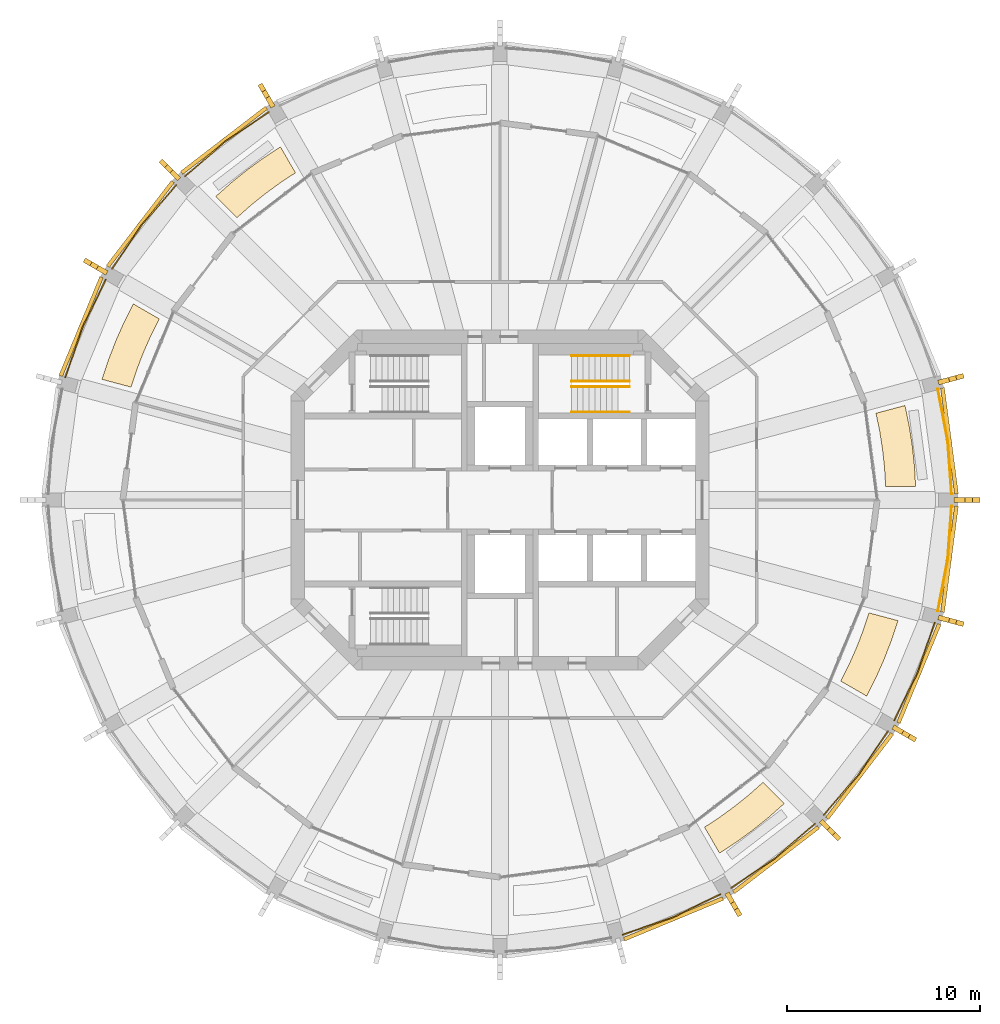
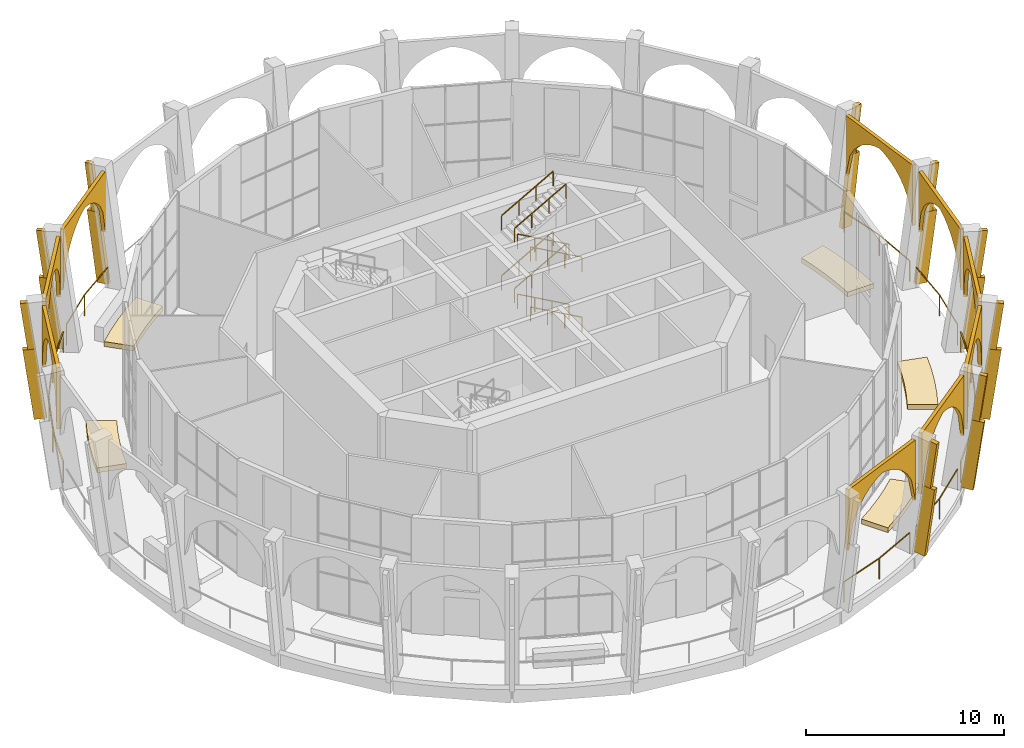
# One storey, part 15 of 16: 32 coverings, 17 railings.
"""IFC4 building model written with IfcOpenShell, lengths in metres."""

from ifc_helpers import new_model, si_unit, direction, frame, origin, origin_2d, place, context, subcontext, project, spatial, polyline, rectangle, outline, extrude, material, layer, layer_set, material_profile, profile_set, type_object, element, save


model = new_model("IFC4")

# Units and contexts
model_context = context("Model", 3, precision=1e-05, world=origin(), true_north=direction((0.0, 1.0)))
body_context = subcontext(model_context, "Body", "Model", "MODEL_VIEW")
ifc_project = project(units=[si_unit("LENGTHUNIT", "METRE"), si_unit("AREAUNIT", "SQUARE_METRE"), si_unit("VOLUMEUNIT", "CUBIC_METRE"), si_unit("PLANEANGLEUNIT", "RADIAN"), si_unit("MASSUNIT", "GRAM", prefix="KILO")], contexts=[model_context])

# Site, building, storey
site_placement = place(None, origin())
site = spatial("IfcSite", under=ifc_project, at=site_placement, CompositionType="ELEMENT")
building_placement = place(site_placement, origin())
building = spatial("IfcBuilding", under=site, at=building_placement, Name="Torre Triforio", CompositionType="ELEMENT")
storey_placement = place(building_placement, frame((0.0, 0.0, 218.699951171875)))
storey = spatial("IfcBuildingStorey", under=building, at=storey_placement, Name="L50", CompositionType="ELEMENT", Elevation=218.699951171875)

# Railings
ifc_material_1 = material(Name="Stainless steel AISI 316", Category="steel")
railing_type_1 = type_object("IfcRailingType", Name="HANDRAIL 920", PredefinedType="HANDRAIL", material=ifc_material_1)
for number, where, name in (
    (1, (6.699951171875, 4.550048828125, 0.168212890625), "Handrail ST2"),
    (2, (6.699951171875, 5.85009765625, 0.168212890625), "Handrail ST2"),
):
    element("IfcRailing", number, at=place(storey_placement, frame(where)), inside=storey, type_object=railing_type_1, Name=name, PredefinedType="HANDRAIL", context=body_context, shape_type="SweptSolid", body=[
        extrude(rectangle(XDim=0.048095703125, YDim=0.048095703125, at=origin_2d()), frame((0.0, 0.0, 0.89599609375), z_axis=(-0.872272294576, 0.0, 0.489020494575), x_axis=(0.0, -1.0, 0.0)), (0.0, 0.0, 1.0), 3.439208984375),
        extrude(rectangle(XDim=0.0419921875, YDim=0.0419921875, at=origin_2d()), origin(), (0.0, 0.0, 1.0), 0.871826171875),
        extrude(rectangle(XDim=0.0419921875, YDim=0.0419921875, at=origin_2d()), frame((-1.0, 0.0, 0.560546875)), (0.0, 0.0, 1.0), 0.871826171875),
        extrude(rectangle(XDim=0.0419921875, YDim=0.0419921875, at=origin_2d()), frame((-2.0, 0.0, 1.121337890625)), (0.0, 0.0, 1.0), 0.871826171875),
        extrude(rectangle(XDim=0.0419921875, YDim=0.0419921875, at=origin_2d()), frame((-3.0, 0.0, 1.681884765625)), (0.0, 0.0, 1.0), 0.871826171875),
    ])
for number, where, name in (
    (3, (3.699951171875, 7.449951171875, 2.018310546875), "Handrail ST2"),
    (4, (3.699951171875, 6.14990234375, 2.018310546875), "Handrail ST2"),
):
    element("IfcRailing", number, at=place(storey_placement, frame(where)), inside=storey, type_object=railing_type_1, Name=name, PredefinedType="HANDRAIL", context=body_context, shape_type="SweptSolid", body=[
        extrude(rectangle(XDim=0.048095703125, YDim=0.048095703125, at=origin_2d()), frame((0.0, 0.0, 0.89599609375), z_axis=(0.872302573547, 0.0, 0.488966481656), x_axis=(0.0, 1.0, 0.0)), (0.0, 0.0, 1.0), 3.439208984375),
        extrude(rectangle(XDim=0.0419921875, YDim=0.0419921875, at=origin_2d()), origin(), (0.0, 0.0, 1.0), 0.871826171875),
        extrude(rectangle(XDim=0.0419921875, YDim=0.0419921875, at=origin_2d()), frame((1.0, 0.0, 0.560546875)), (0.0, 0.0, 1.0), 0.871826171875),
        extrude(rectangle(XDim=0.0419921875, YDim=0.0419921875, at=origin_2d()), frame((2.0, 0.0, 1.12109375)), (0.0, 0.0, 1.0), 0.871826171875),
        extrude(rectangle(XDim=0.0419921875, YDim=0.0419921875, at=origin_2d()), frame((3.0, 0.0, 1.681640625)), (0.0, 0.0, 1.0), 0.871826171875),
    ])
for number, where, name in (
    (5, (6.699951171875, 4.550048828125, 3.8681640625), "Handrail ST2"),
    (6, (6.699951171875, 5.85009765625, 3.8681640625), "Handrail ST2"),
):
    element("IfcRailing", number, at=place(storey_placement, frame(where)), inside=storey, type_object=railing_type_1, Name=name, PredefinedType="HANDRAIL", context=body_context, shape_type="SweptSolid", body=[
        extrude(rectangle(XDim=0.048095703125, YDim=0.048095703125, at=origin_2d()), frame((0.0, 0.0, 0.89599609375), z_axis=(-0.872272294576, 0.0, 0.489020494575), x_axis=(0.0, -1.0, 0.0)), (0.0, 0.0, 1.0), 3.439208984375),
        extrude(rectangle(XDim=0.0419921875, YDim=0.0419921875, at=origin_2d()), origin(), (0.0, 0.0, 1.0), 0.871826171875),
        extrude(rectangle(XDim=0.0419921875, YDim=0.0419921875, at=origin_2d()), frame((-1.0, 0.0, 0.560546875)), (0.0, 0.0, 1.0), 0.871826171875),
        extrude(rectangle(XDim=0.0419921875, YDim=0.0419921875, at=origin_2d()), frame((-2.0, 0.0, 1.121337890625)), (0.0, 0.0, 1.0), 0.871826171875),
        extrude(rectangle(XDim=0.0419921875, YDim=0.0419921875, at=origin_2d()), frame((-3.0, 0.0, 1.681884765625)), (0.0, 0.0, 1.0), 0.871826171875),
    ])
for number, where, name in (
    (7, (3.699951171875, 7.449951171875, 5.71826171875), "Handrail ST2"),
    (8, (3.699951171875, 6.14990234375, 5.71826171875), "Handrail ST2"),
):
    element("IfcRailing", number, at=place(storey_placement, frame(where)), inside=storey, type_object=railing_type_1, Name=name, PredefinedType="HANDRAIL", context=body_context, shape_type="SweptSolid", body=[
        extrude(rectangle(XDim=0.048095703125, YDim=0.048095703125, at=origin_2d()), frame((0.0, 0.0, 0.89599609375), z_axis=(0.872272294576, 0.0, 0.489020494575), x_axis=(0.0, 1.0, 0.0)), (0.0, 0.0, 1.0), 3.439208984375),
        extrude(rectangle(XDim=0.0419921875, YDim=0.0419921875, at=origin_2d()), origin(), (0.0, 0.0, 1.0), 0.871826171875),
        extrude(rectangle(XDim=0.0419921875, YDim=0.0419921875, at=origin_2d()), frame((1.0, 0.0, 0.560546875)), (0.0, 0.0, 1.0), 0.871826171875),
        extrude(rectangle(XDim=0.0419921875, YDim=0.0419921875, at=origin_2d()), frame((2.0, 0.0, 1.121337890625)), (0.0, 0.0, 1.0), 0.871826171875),
        extrude(rectangle(XDim=0.0419921875, YDim=0.0419921875, at=origin_2d()), frame((3.0, 0.0, 1.681884765625)), (0.0, 0.0, 1.0), 0.871826171875),
    ])

# Coverings
ifc_material_2 = material(Name="Limestone arch panel", Category="masonry")
ifc_layer_1 = layer(ifc_material_2, 0.199951171875)
ifc_layer_set_1 = layer_set([ifc_layer_1], Name="Limestone arch panel")
covering_type_1 = type_object("IfcCoveringType", Name="Lancet arch cladding panel 200", PredefinedType="CLADDING", material=ifc_layer_set_1)
covering_1_placement = place(storey_placement, frame((23.14013671875, 3.04638671875, 0.0), z_axis=(0.991429342672, 0.130644014367, 0.0), x_axis=(-0.130644014367, 0.991429342672, 0.0)))
element("IfcCovering", 9, at=covering_1_placement, inside=storey, type_object=covering_type_1, Name="Lancet arch panel L50 bay 01", PredefinedType="CLADDING", context=body_context, shape_type="SweptSolid", body=[
    extrude(outline(polyline([(-2.76318359375, 7.1201171875), (-2.76318359375, 3.359619140625), (-2.417724609375, 4.83056640625), (-2.072509765625, 5.381591796875), (-1.72705078125, 5.7626953125), (-1.381591796875, 6.04736328125), (-1.0361328125, 6.263671875), (-0.69091796875, 6.42626953125), (-0.345458984375, 6.54345703125), (0.0, 6.6201171875), (0.345458984375, 6.54345703125), (0.69091796875, 6.42626953125), (1.0361328125, 6.263671875), (1.381591796875, 6.04736328125), (1.72705078125, 5.7626953125), (2.072509765625, 5.381591796875), (2.417724609375, 4.83056640625), (2.76318359375, 3.359619140625), (2.76318359375, 7.1201171875), (-2.76318359375, 7.1201171875)])), origin(), (0.0, 0.0, 1.0), 0.199951171875),
])
for number, where, z_axis, x_axis, name in (
    (10, (-14.20849609375, 18.516845703125, 0.0), (-0.608765110442, 0.793350515415, 0.0), (-0.793350515415, -0.608765110442, 0.0), "Lancet arch panel L50 bay 09"),
    (11, (-18.516845703125, 14.20849609375, 0.0), (-0.793350515415, 0.608765110442, 0.0), (-0.608765110442, -0.793350515415, 0.0), "Lancet arch panel L50 bay 10"),
):
    element("IfcCovering", number, at=place(storey_placement, frame(where, z_axis=z_axis, x_axis=x_axis)), inside=storey, type_object=covering_type_1, Name=name, PredefinedType="CLADDING", context=body_context, shape_type="SweptSolid", body=[
        extrude(outline(polyline([(-2.76318359375, 7.1201171875), (-2.76318359375, 3.359619140625), (-2.417724609375, 4.83056640625), (-2.072509765625, 5.381591796875), (-1.72705078125, 5.7626953125), (-1.381591796875, 6.04736328125), (-1.0361328125, 6.263671875), (-0.69091796875, 6.42626953125), (-0.345458984375, 6.54345703125), (0.0, 6.6201171875), (0.345458984375, 6.54345703125), (0.69091796875, 6.42626953125), (1.0361328125, 6.263671875), (1.381591796875, 6.04736328125), (1.72705078125, 5.7626953125), (2.072509765625, 5.381591796875), (2.417724609375, 4.83056640625), (2.76318359375, 3.359619140625), (2.76318359375, 7.1201171875), (-2.76318359375, 7.1201171875)])), origin(), (0.0, 0.0, 1.0), 0.19970703125),
    ])
for number, where, z_axis, x_axis, name in (
    (12, (-21.563232421875, 8.931884765625, 0.0), (-0.924120904221, 0.382100188932, 0.0), (-0.382100188932, -0.924120904221, 0.0), "Lancet arch panel L50 bay 11"),
    (13, (8.931884765625, -21.563232421875, 0.0), (0.382100188932, -0.924120904221, 0.0), (0.924120904221, 0.382100188932, 0.0), "Lancet arch panel L50 bay 20"),
):
    element("IfcCovering", number, at=place(storey_placement, frame(where, z_axis=z_axis, x_axis=x_axis)), inside=storey, type_object=covering_type_1, Name=name, PredefinedType="CLADDING", context=body_context, shape_type="SweptSolid", body=[
        extrude(outline(polyline([(-2.76318359375, 7.1201171875), (-2.76318359375, 3.359619140625), (-2.417724609375, 4.83056640625), (-2.072509765625, 5.381591796875), (-1.72705078125, 5.7626953125), (-1.381591796875, 6.04736328125), (-1.0361328125, 6.263671875), (-0.69091796875, 6.42626953125), (-0.345458984375, 6.54345703125), (0.0, 6.6201171875), (0.345458984375, 6.54345703125), (0.69091796875, 6.42626953125), (1.0361328125, 6.263671875), (1.381591796875, 6.04736328125), (1.72705078125, 5.7626953125), (2.072509765625, 5.381591796875), (2.417724609375, 4.83056640625), (2.76318359375, 3.359619140625), (2.76318359375, 7.1201171875), (-2.76318359375, 7.1201171875)])), origin(), (0.0, 0.0, 1.0), 0.199951171875),
    ])
for number, where, z_axis, x_axis, name in (
    (14, (14.20849609375, -18.516845703125, 0.0), (0.608765110442, -0.793350515415, 0.0), (0.793350515415, 0.608765110442, 0.0), "Lancet arch panel L50 bay 21"),
    (15, (18.516845703125, -14.20849609375, 0.0), (0.793350515415, -0.608765110442, 0.0), (0.608765110442, 0.793350515415, 0.0), "Lancet arch panel L50 bay 22"),
):
    element("IfcCovering", number, at=place(storey_placement, frame(where, z_axis=z_axis, x_axis=x_axis)), inside=storey, type_object=covering_type_1, Name=name, PredefinedType="CLADDING", context=body_context, shape_type="SweptSolid", body=[
        extrude(outline(polyline([(-2.76318359375, 7.1201171875), (-2.76318359375, 3.359619140625), (-2.417724609375, 4.83056640625), (-2.072509765625, 5.381591796875), (-1.72705078125, 5.7626953125), (-1.381591796875, 6.04736328125), (-1.0361328125, 6.263671875), (-0.69091796875, 6.42626953125), (-0.345458984375, 6.54345703125), (0.0, 6.6201171875), (0.345458984375, 6.54345703125), (0.69091796875, 6.42626953125), (1.0361328125, 6.263671875), (1.381591796875, 6.04736328125), (1.72705078125, 5.7626953125), (2.072509765625, 5.381591796875), (2.417724609375, 4.83056640625), (2.76318359375, 3.359619140625), (2.76318359375, 7.1201171875), (-2.76318359375, 7.1201171875)])), origin(), (0.0, 0.0, 1.0), 0.19970703125),
    ])
for number, where, z_axis, x_axis, name in (
    (16, (21.563232421875, -8.931884765625, 0.0), (0.924120904221, -0.382100188932, 0.0), (0.382100188932, 0.924120904221, 0.0), "Lancet arch panel L50 bay 23"),
    (17, (23.14013671875, -3.04638671875, 0.0), (0.991429342672, -0.130644014367, 0.0), (0.130644014367, 0.991429342672, 0.0), "Lancet arch panel L50 bay 24"),
):
    element("IfcCovering", number, at=place(storey_placement, frame(where, z_axis=z_axis, x_axis=x_axis)), inside=storey, type_object=covering_type_1, Name=name, PredefinedType="CLADDING", context=body_context, shape_type="SweptSolid", body=[
        extrude(outline(polyline([(-2.76318359375, 7.1201171875), (-2.76318359375, 3.359619140625), (-2.417724609375, 4.83056640625), (-2.072509765625, 5.381591796875), (-1.72705078125, 5.7626953125), (-1.381591796875, 6.04736328125), (-1.0361328125, 6.263671875), (-0.69091796875, 6.42626953125), (-0.345458984375, 6.54345703125), (0.0, 6.6201171875), (0.345458984375, 6.54345703125), (0.69091796875, 6.42626953125), (1.0361328125, 6.263671875), (1.381591796875, 6.04736328125), (1.72705078125, 5.7626953125), (2.072509765625, 5.381591796875), (2.417724609375, 4.83056640625), (2.76318359375, 3.359619140625), (2.76318359375, 7.1201171875), (-2.76318359375, 7.1201171875)])), origin(), (0.0, 0.0, 1.0), 0.199951171875),
    ])

# Railings
railing_type_2 = type_object("IfcRailingType", Name="Loggia guard 1300", PredefinedType="GUARDRAIL", material=ifc_material_1)
railing_1_placement = place(storey_placement, frame((23.35009765625, 0.320068359375, 0.0)))
element("IfcRailing", 18, at=railing_1_placement, inside=storey, type_object=railing_type_2, Name="Loggia guard L50 bay 01", PredefinedType="GUARDRAIL", context=body_context, shape_type="SweptSolid", body=[
    extrude(rectangle(XDim=0.050048828125, YDim=0.050048828125, at=origin_2d()), frame((0.0, 0.0, 1.27490234375), z_axis=(-0.073105569346, 0.997324207934, 0.0), x_axis=(-0.997324207934, -0.073105569346, 0.0)), (0.0, 0.0, 1.0), 2.735107421875),
    extrude(rectangle(XDim=0.050048828125, YDim=0.050048828125, at=origin_2d()), frame((-0.199951171875, 2.727783203125, 1.27490234375), z_axis=(-0.187542781797, 0.982256435457, 0.0), x_axis=(-0.982256435457, -0.187542781797, 0.0)), (0.0, 0.0, 1.0), 2.735107421875),
    extrude(rectangle(XDim=0.0400390625, YDim=0.0400390625, at=origin_2d()), origin(), (0.0, 0.0, 1.0), 1.25),
    extrude(rectangle(XDim=0.0400390625, YDim=0.0400390625, at=origin_2d()), frame((-0.199951171875, 2.727783203125, 0.0)), (0.0, 0.0, 1.0), 1.25),
    extrude(rectangle(XDim=0.0400390625, YDim=0.0400390625, at=origin_2d()), frame((-0.712890625, 5.414306640625, 0.0)), (0.0, 0.0, 1.0), 1.25),
])
railing_2_placement = place(storey_placement, frame((-11.9521484375, 20.061767578125, 0.0)))
element("IfcRailing", 19, at=railing_2_placement, inside=storey, type_object=railing_type_2, Name="Loggia guard L50 bay 09", PredefinedType="GUARDRAIL", context=body_context, shape_type="SweptSolid", body=[
    extrude(rectangle(XDim=0.050048828125, YDim=0.050048828125, at=origin_2d()), frame((0.0, 0.0, 1.27490234375), z_axis=(-0.827198686069, -0.561909542334, 0.0), x_axis=(0.561909542334, -0.827198686069, 0.0)), (0.0, 0.0, 1.0), 2.735107421875),
    extrude(rectangle(XDim=0.050048828125, YDim=0.050048828125, at=origin_2d()), frame((-2.262451171875, -1.536865234375, 1.27490234375), z_axis=(-0.756857127214, -0.653580361536, 0.0), x_axis=(0.653580361536, -0.756857127214, 0.0)), (0.0, 0.0, 1.0), 2.735107421875),
    extrude(rectangle(XDim=0.0400390625, YDim=0.0400390625, at=origin_2d()), origin(), (0.0, 0.0, 1.0), 1.25),
    extrude(rectangle(XDim=0.0400390625, YDim=0.0400390625, at=origin_2d()), frame((-2.262451171875, -1.536865234375, 0.0)), (0.0, 0.0, 1.0), 1.25),
    extrude(rectangle(XDim=0.0400390625, YDim=0.0400390625, at=origin_2d()), frame((-4.33251953125, -3.324462890625, 0.0)), (0.0, 0.0, 1.0), 1.25),
])
railing_3_placement = place(storey_placement, frame((-16.7373046875, 16.28466796875, 0.0)))
element("IfcRailing", 20, at=railing_3_placement, inside=storey, type_object=railing_type_2, Name="Loggia guard L50 bay 10", PredefinedType="GUARDRAIL", context=body_context, shape_type="SweptSolid", body=[
    extrude(rectangle(XDim=0.050048828125, YDim=0.050048828125, at=origin_2d()), frame((0.0, 0.0, 1.27490234375), z_axis=(-0.653580361536, -0.756857127214, 0.0), x_axis=(0.756857127214, -0.653580361536, 0.0)), (0.0, 0.0, 1.0), 2.735107421875),
    extrude(rectangle(XDim=0.050048828125, YDim=0.050048828125, at=origin_2d()), frame((-1.78759765625, -2.070068359375, 1.27490234375), z_axis=(-0.561909542334, -0.827198686069, 0.0), x_axis=(0.827198686069, -0.561909542334, 0.0)), (0.0, 0.0, 1.0), 2.735107421875),
    extrude(rectangle(XDim=0.0400390625, YDim=0.0400390625, at=origin_2d()), origin(), (0.0, 0.0, 1.0), 1.25),
    extrude(rectangle(XDim=0.0400390625, YDim=0.0400390625, at=origin_2d()), frame((-1.78759765625, -2.070068359375, 0.0)), (0.0, 0.0, 1.0), 1.25),
    extrude(rectangle(XDim=0.0400390625, YDim=0.0400390625, at=origin_2d()), frame((-3.324462890625, -4.33251953125, 0.0)), (0.0, 0.0, 1.0), 1.25),
])
railing_4_placement = place(storey_placement, frame((-20.381591796875, 11.39794921875, 0.0)))
element("IfcRailing", 21, at=railing_4_placement, inside=storey, type_object=railing_type_2, Name="Loggia guard L50 bay 11", PredefinedType="GUARDRAIL", context=body_context, shape_type="SweptSolid", body=[
    extrude(rectangle(XDim=0.050048828125, YDim=0.050048828125, at=origin_2d()), frame((0.0, 0.0, 1.27490234375), z_axis=(-0.435427931096, -0.900223592682, 0.0), x_axis=(0.900223592682, -0.435427931096, 0.0)), (0.0, 0.0, 1.0), 2.735107421875),
    extrude(rectangle(XDim=0.050048828125, YDim=0.050048828125, at=origin_2d()), frame((-1.19091796875, -2.462158203125, 1.27490234375), z_axis=(-0.328652177394, -0.944451029061, 0.0), x_axis=(0.944451029061, -0.328652177394, 0.0)), (0.0, 0.0, 1.0), 2.735107421875),
    extrude(rectangle(XDim=0.0400390625, YDim=0.0400390625, at=origin_2d()), origin(), (0.0, 0.0, 1.0), 1.25),
    extrude(rectangle(XDim=0.0400390625, YDim=0.0400390625, at=origin_2d()), frame((-1.19091796875, -2.462158203125, 0.0)), (0.0, 0.0, 1.0), 1.25),
    extrude(rectangle(XDim=0.0400390625, YDim=0.0400390625, at=origin_2d()), frame((-2.08984375, -5.04541015625, 0.0)), (0.0, 0.0, 1.0), 1.25),
])
railing_5_placement = place(storey_placement, frame((6.3525390625, -22.471435546875, 0.0)))
element("IfcRailing", 22, at=railing_5_placement, inside=storey, type_object=railing_type_2, Name="Loggia guard L50 bay 20", PredefinedType="GUARDRAIL", context=body_context, shape_type="SweptSolid", body=[
    extrude(rectangle(XDim=0.050048828125, YDim=0.050048828125, at=origin_2d()), frame((0.0, 0.0, 1.27490234375), z_axis=(0.944451029061, 0.328652177394, 0.0), x_axis=(-0.328652177394, 0.944451029061, 0.0)), (0.0, 0.0, 1.0), 2.735107421875),
    extrude(rectangle(XDim=0.050048828125, YDim=0.050048828125, at=origin_2d()), frame((2.583251953125, 0.89892578125, 1.27490234375), z_axis=(0.900223592682, 0.435427931096, 0.0), x_axis=(-0.435427931096, 0.900223592682, 0.0)), (0.0, 0.0, 1.0), 2.735107421875),
    extrude(rectangle(XDim=0.0400390625, YDim=0.0400390625, at=origin_2d()), origin(), (0.0, 0.0, 1.0), 1.25),
    extrude(rectangle(XDim=0.0400390625, YDim=0.0400390625, at=origin_2d()), frame((2.583251953125, 0.89892578125, 0.0)), (0.0, 0.0, 1.0), 1.25),
    extrude(rectangle(XDim=0.0400390625, YDim=0.0400390625, at=origin_2d()), frame((5.04541015625, 2.08984375, 0.0)), (0.0, 0.0, 1.0), 1.25),
])
railing_6_placement = place(storey_placement, frame((11.9521484375, -20.061767578125, 0.0)))
element("IfcRailing", 23, at=railing_6_placement, inside=storey, type_object=railing_type_2, Name="Loggia guard L50 bay 21", PredefinedType="GUARDRAIL", context=body_context, shape_type="SweptSolid", body=[
    extrude(rectangle(XDim=0.050048828125, YDim=0.050048828125, at=origin_2d()), frame((0.0, 0.0, 1.27490234375), z_axis=(0.827198686069, 0.561909542334, 0.0), x_axis=(-0.561909542334, 0.827198686069, 0.0)), (0.0, 0.0, 1.0), 2.735107421875),
    extrude(rectangle(XDim=0.050048828125, YDim=0.050048828125, at=origin_2d()), frame((2.262451171875, 1.536865234375, 1.27490234375), z_axis=(0.756857127214, 0.653580361536, 0.0), x_axis=(-0.653580361536, 0.756857127214, 0.0)), (0.0, 0.0, 1.0), 2.735107421875),
    extrude(rectangle(XDim=0.0400390625, YDim=0.0400390625, at=origin_2d()), origin(), (0.0, 0.0, 1.0), 1.25),
    extrude(rectangle(XDim=0.0400390625, YDim=0.0400390625, at=origin_2d()), frame((2.262451171875, 1.536865234375, 0.0)), (0.0, 0.0, 1.0), 1.25),
    extrude(rectangle(XDim=0.0400390625, YDim=0.0400390625, at=origin_2d()), frame((4.33251953125, 3.324462890625, 0.0)), (0.0, 0.0, 1.0), 1.25),
])
railing_7_placement = place(storey_placement, frame((16.7373046875, -16.28466796875, 0.0)))
element("IfcRailing", 24, at=railing_7_placement, inside=storey, type_object=railing_type_2, Name="Loggia guard L50 bay 22", PredefinedType="GUARDRAIL", context=body_context, shape_type="SweptSolid", body=[
    extrude(rectangle(XDim=0.050048828125, YDim=0.050048828125, at=origin_2d()), frame((0.0, 0.0, 1.27490234375), z_axis=(0.653580361536, 0.756857127214, 0.0), x_axis=(-0.756857127214, 0.653580361536, 0.0)), (0.0, 0.0, 1.0), 2.735107421875),
    extrude(rectangle(XDim=0.050048828125, YDim=0.050048828125, at=origin_2d()), frame((1.78759765625, 2.070068359375, 1.27490234375), z_axis=(0.561909542334, 0.827198686069, 0.0), x_axis=(-0.827198686069, 0.561909542334, 0.0)), (0.0, 0.0, 1.0), 2.735107421875),
    extrude(rectangle(XDim=0.0400390625, YDim=0.0400390625, at=origin_2d()), origin(), (0.0, 0.0, 1.0), 1.25),
    extrude(rectangle(XDim=0.0400390625, YDim=0.0400390625, at=origin_2d()), frame((1.78759765625, 2.070068359375, 0.0)), (0.0, 0.0, 1.0), 1.25),
    extrude(rectangle(XDim=0.0400390625, YDim=0.0400390625, at=origin_2d()), frame((3.324462890625, 4.33251953125, 0.0)), (0.0, 0.0, 1.0), 1.25),
])
railing_8_placement = place(storey_placement, frame((20.381591796875, -11.39794921875, 0.0)))
element("IfcRailing", 25, at=railing_8_placement, inside=storey, type_object=railing_type_2, Name="Loggia guard L50 bay 23", PredefinedType="GUARDRAIL", context=body_context, shape_type="SweptSolid", body=[
    extrude(rectangle(XDim=0.050048828125, YDim=0.050048828125, at=origin_2d()), frame((0.0, 0.0, 1.27490234375), z_axis=(0.435427931096, 0.900223592682, 0.0), x_axis=(-0.900223592682, 0.435427931096, 0.0)), (0.0, 0.0, 1.0), 2.735107421875),
    extrude(rectangle(XDim=0.050048828125, YDim=0.050048828125, at=origin_2d()), frame((1.19091796875, 2.462158203125, 1.27490234375), z_axis=(0.328652177394, 0.944451029061, 0.0), x_axis=(-0.944451029061, 0.328652177394, 0.0)), (0.0, 0.0, 1.0), 2.735107421875),
    extrude(rectangle(XDim=0.0400390625, YDim=0.0400390625, at=origin_2d()), origin(), (0.0, 0.0, 1.0), 1.25),
    extrude(rectangle(XDim=0.0400390625, YDim=0.0400390625, at=origin_2d()), frame((1.19091796875, 2.462158203125, 0.0)), (0.0, 0.0, 1.0), 1.25),
    extrude(rectangle(XDim=0.0400390625, YDim=0.0400390625, at=origin_2d()), frame((2.08984375, 5.04541015625, 0.0)), (0.0, 0.0, 1.0), 1.25),
])
railing_9_placement = place(storey_placement, frame((22.63720703125, -5.734375, 0.0)))
element("IfcRailing", 26, at=railing_9_placement, inside=storey, type_object=railing_type_2, Name="Loggia guard L50 bay 24", PredefinedType="GUARDRAIL", context=body_context, shape_type="SweptSolid", body=[
    extrude(rectangle(XDim=0.050048828125, YDim=0.050048828125, at=origin_2d()), frame((0.0, 0.0, 1.27490234375), z_axis=(0.187542781797, 0.982256435457, 0.0), x_axis=(-0.982256435457, 0.187542781797, 0.0)), (0.0, 0.0, 1.0), 2.735107421875),
    extrude(rectangle(XDim=0.050048828125, YDim=0.050048828125, at=origin_2d()), frame((0.512939453125, 2.6865234375, 1.27490234375), z_axis=(0.073105569346, 0.997324207934, 0.0), x_axis=(-0.997324207934, 0.073105569346, 0.0)), (0.0, 0.0, 1.0), 2.735107421875),
    extrude(rectangle(XDim=0.0400390625, YDim=0.0400390625, at=origin_2d()), origin(), (0.0, 0.0, 1.0), 1.25),
    extrude(rectangle(XDim=0.0400390625, YDim=0.0400390625, at=origin_2d()), frame((0.512939453125, 2.6865234375, 0.0)), (0.0, 0.0, 1.0), 1.25),
    extrude(rectangle(XDim=0.0400390625, YDim=0.0400390625, at=origin_2d()), frame((0.712890625, 5.414306640625, 0.0)), (0.0, 0.0, 1.0), 1.25),
])

# Coverings
ifc_material_3 = material(Name="Planted topsoil bed")
ifc_layer_2 = layer(ifc_material_3, 0.300048828125)
ifc_layer_set_2 = layer_set([ifc_layer_2], Name="Planted topsoil bed")
covering_type_2 = type_object("IfcCoveringType", Name="Planted bed 300", PredefinedType="FLOORING", material=ifc_layer_set_2)
covering_2_placement = place(storey_placement, origin())
element("IfcCovering", 27, at=covering_2_placement, inside=storey, type_object=covering_type_2, Name="Sky garden L50 planted bed 01", PredefinedType="FLOORING", context=body_context, shape_type="SweptSolid", body=[
    extrude(outline(polyline([(19.937744140625, 0.69970703125), (19.88134765625, 1.65380859375), (19.779296875, 2.60400390625), (19.6318359375, 3.54833984375), (19.439453125, 4.484619140625), (20.9375, 4.885986328125), (21.15234375, 3.8505859375), (21.316162109375, 2.806396484375), (21.42822265625, 1.755126953125), (21.488525390625, 0.69970703125), (19.937744140625, 0.69970703125)])), origin(), (0.0, 0.0, 1.0), 0.300048828125),
])
covering_3_placement = place(storey_placement, origin())
element("IfcCovering", 28, at=covering_3_placement, inside=storey, type_object=covering_type_2, Name="Sky garden L50 planted bed 09", PredefinedType="FLOORING", context=body_context, shape_type="SweptSolid", body=[
    extrude(outline(polyline([(-10.57470703125, 16.916748046875), (-11.372802734375, 16.390869140625), (-12.144775390625, 15.827392578125), (-12.888916015625, 15.2275390625), (-13.603515625, 14.5927734375), (-14.699951171875, 15.689453125), (-13.910888671875, 16.39306640625), (-13.08837890625, 17.05712890625), (-12.234130859375, 17.679931640625), (-11.35009765625, 18.260009765625), (-10.57470703125, 16.916748046875)])), origin(), (0.0, 0.0, 1.0), 0.300048828125),
])
covering_4_placement = place(storey_placement, origin())
element("IfcCovering", 29, at=covering_4_placement, inside=storey, type_object=covering_type_2, Name="Sky garden L50 planted bed 11", PredefinedType="FLOORING", context=body_context, shape_type="SweptSolid", body=[
    extrude(outline(polyline([(-17.616455078125, 9.363037109375), (-18.044677734375, 8.508544921875), (-18.431396484375, 7.634521484375), (-18.77587890625, 6.742919921875), (-19.077392578125, 5.8359375), (-20.5751953125, 6.237548828125), (-20.243896484375, 7.2412109375), (-19.86328125, 8.227783203125), (-19.43505859375, 9.194091796875), (-18.95947265625, 10.138427734375), (-17.616455078125, 9.363037109375)])), origin(), (0.0, 0.0, 1.0), 0.300048828125),
])
covering_5_placement = place(storey_placement, origin())
element("IfcCovering", 30, at=covering_5_placement, inside=storey, type_object=covering_type_2, Name="Sky garden L50 planted bed 21", PredefinedType="FLOORING", context=body_context, shape_type="SweptSolid", body=[
    extrude(outline(polyline([(10.57470703125, -16.916748046875), (11.372802734375, -16.390869140625), (12.144775390625, -15.827392578125), (12.888916015625, -15.2275390625), (13.603515625, -14.5927734375), (14.699951171875, -15.689453125), (13.910888671875, -16.39306640625), (13.08837890625, -17.05712890625), (12.234130859375, -17.679931640625), (11.35009765625, -18.260009765625), (10.57470703125, -16.916748046875)])), origin(), (0.0, 0.0, 1.0), 0.300048828125),
])
covering_6_placement = place(storey_placement, origin())
element("IfcCovering", 31, at=covering_6_placement, inside=storey, type_object=covering_type_2, Name="Sky garden L50 planted bed 23", PredefinedType="FLOORING", context=body_context, shape_type="SweptSolid", body=[
    extrude(outline(polyline([(17.616455078125, -9.363037109375), (18.044677734375, -8.508544921875), (18.431396484375, -7.634521484375), (18.77587890625, -6.742919921875), (19.077392578125, -5.8359375), (20.5751953125, -6.237548828125), (20.243896484375, -7.2412109375), (19.86328125, -8.227783203125), (19.43505859375, -9.194091796875), (18.95947265625, -10.138427734375), (17.616455078125, -9.363037109375)])), origin(), (0.0, 0.0, 1.0), 0.300048828125),
])
ifc_material_4 = material(Name="Limestone fin", Category="masonry")
ifc_material_profile_1 = material_profile(ifc_material_4, rectangle(XDim=0.39990234375, YDim=0.25, at=origin_2d()), Name="FIN 400x250")
ifc_profile_set_1 = profile_set([ifc_material_profile_1], Name="Limestone fin")
covering_type_3 = type_object("IfcCoveringType", Name="Stone fin 400 x 250", PredefinedType="CLADDING", material=ifc_profile_set_1)
for number, where, z_axis, x_axis, name in (
    (32, (24.233154296875, 0.0, 4.27197265625), (0.133960734783, 0.0, 0.990986640443), (-0.990986640443, 0.0, 0.133960734783), "Stone fin C01 L50 upper"),
    (33, (23.407470703125, 6.27197265625, 4.27197265625), (0.129374057116, 0.034658316023, 0.990989987071), (-0.957236431377, -0.256436286278, 0.133935975466), "Stone fin C02 L50 upper"),
    (34, (-12.11669921875, 20.986572265625, 4.27197265625), (-0.066938560684, 0.115953217428, 0.990996508804), (0.495459058495, -0.85825078026, 0.133887712425), "Stone fin C09 L50 upper"),
    (35, (-17.135498046875, 17.135498046875, 4.27197265625), (-0.094715584921, 0.094715584921, 0.990988353083), (0.700734584542, -0.700734584542, 0.133948064763), "Stone fin C10 L50 upper"),
    (36, (-20.986572265625, 12.11669921875, 4.27197265625), (-0.115953217428, 0.066938560684, 0.990996508804), (0.85825078026, -0.495459058495, 0.133887712425), "Stone fin C11 L50 upper"),
    (37, (12.11669921875, -20.986572265625, 4.27197265625), (0.066938560684, -0.115953217428, 0.990996508804), (-0.495459058495, 0.85825078026, 0.133887712425), "Stone fin C21 L50 upper"),
    (38, (17.135498046875, -17.135498046875, 4.27197265625), (0.094715584921, -0.094715584921, 0.990988353083), (-0.700734584542, 0.700734584542, 0.133948064763), "Stone fin C22 L50 upper"),
    (39, (20.986572265625, -12.11669921875, 4.27197265625), (0.115953217428, -0.066938560684, 0.990996508804), (-0.85825078026, 0.495459058495, 0.133887712425), "Stone fin C23 L50 upper"),
    (40, (23.407470703125, -6.27197265625, 4.27197265625), (0.129374057116, -0.034658316023, 0.990989987071), (-0.957236431377, 0.256436286278, 0.133935975466), "Stone fin C24 L50 upper"),
):
    element("IfcCovering", number, at=place(storey_placement, frame(where, z_axis=z_axis, x_axis=x_axis)), inside=storey, type_object=covering_type_3, Name=name, PredefinedType="CLADDING", context=body_context, shape_type="SweptSolid", body=[
        extrude(rectangle(XDim=0.39990234375, YDim=0.25, at=origin_2d()), origin(), (0.0, 0.0, 1.0), 2.8740234375),
    ])
ifc_material_profile_2 = material_profile(ifc_material_4, rectangle(XDim=0.64990234375, YDim=0.25, at=origin_2d()), Name="FIN 650x250")
ifc_profile_set_2 = profile_set([ifc_material_profile_2], Name="Limestone fin")
covering_type_4 = type_object("IfcCoveringType", Name="Stone fin 650 x 250", PredefinedType="CLADDING", material=ifc_profile_set_2)
for number, where, z_axis, x_axis, name in (
    (41, (23.781982421875, 0.0, 0.0), (0.133940444111, 0.0, 0.990989383107), (-0.990989383107, 0.0, 0.133940444111), "Stone fin C01 L50"),
    (42, (22.9716796875, 6.1552734375, 0.0), (0.129353474776, 0.034660388162, 0.990992601413), (-0.957224923604, -0.2564893403, 0.133916630573), "Stone fin C02 L50"),
    (43, (-11.89111328125, 20.595947265625, 0.0), (-0.066942537391, 0.115931788528, 0.990998747273), (0.495550939901, -0.858200316394, 0.133871142909), "Stone fin C09 L50"),
    (44, (-16.81640625, 16.81640625, 0.0), (-0.094693091473, 0.094693091473, 0.990992652271), (0.700737624527, -0.700737624527, 0.133916254224), "Stone fin C10 L50"),
    (45, (-20.595947265625, 11.89111328125, 0.0), (-0.115931788528, 0.066942537391, 0.990998747273), (0.858200316394, -0.495550939901, 0.133871142909), "Stone fin C11 L50"),
    (46, (11.89111328125, -20.595947265625, 0.0), (0.066942537391, -0.115931788528, 0.990998747273), (-0.495550939901, 0.858200316394, 0.133871142909), "Stone fin C21 L50"),
    (47, (16.81640625, -16.81640625, 0.0), (0.094693091473, -0.094693091473, 0.990992652271), (-0.700737624527, 0.700737624527, 0.133916254224), "Stone fin C22 L50"),
    (48, (20.595947265625, -11.89111328125, 0.0), (0.115931788528, -0.066942537391, 0.990998747273), (-0.858200316394, 0.495550939901, 0.133871142909), "Stone fin C23 L50"),
    (49, (22.9716796875, -6.1552734375, 0.0), (0.129353474776, -0.034660388162, 0.990992601413), (-0.957224923604, 0.2564893403, 0.133916630573), "Stone fin C24 L50"),
):
    element("IfcCovering", number, at=place(storey_placement, frame(where, z_axis=z_axis, x_axis=x_axis)), inside=storey, type_object=covering_type_4, Name=name, PredefinedType="CLADDING", context=body_context, shape_type="SweptSolid", body=[
        extrude(rectangle(XDim=0.64990234375, YDim=0.25, at=origin_2d()), origin(), (0.0, 0.0, 1.0), 4.310791015625),
    ])

save(model, "model.ifc")
